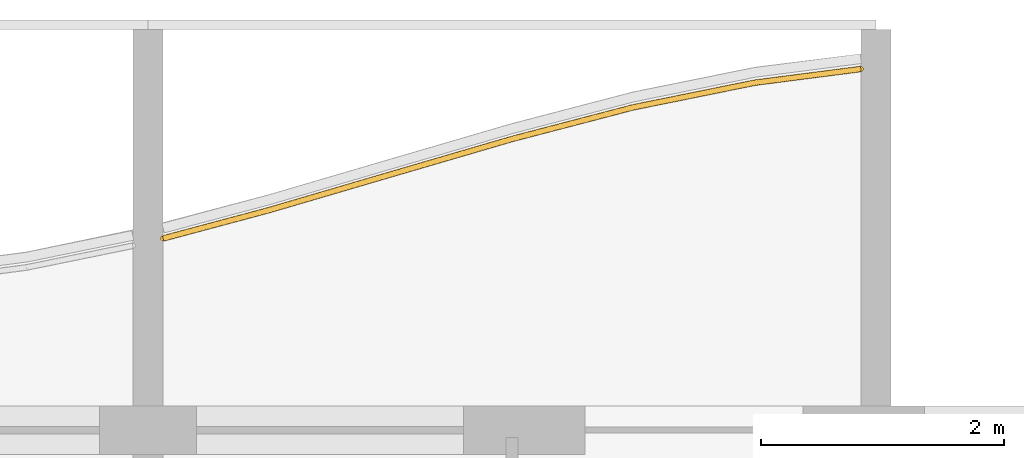
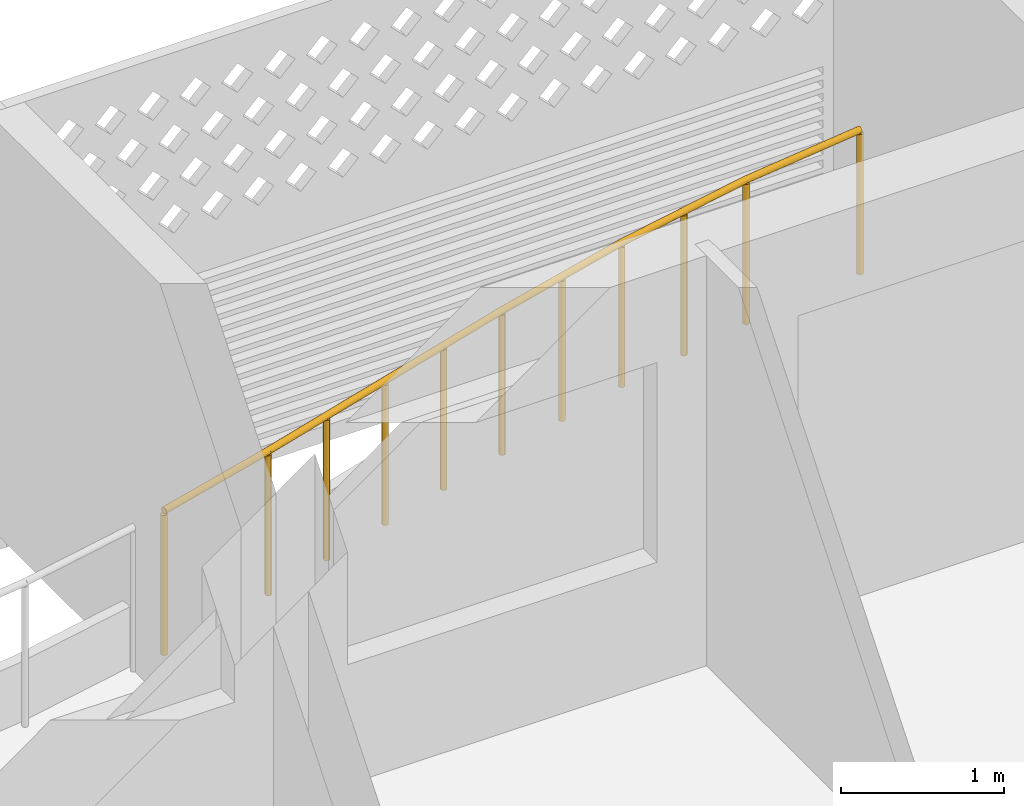
# One storey, part 17 of 28: 1 railing.
"""IFC4 building model written with IfcOpenShell, lengths in metres."""

from ifc_helpers import new_model, si_unit, direction, frame, origin, origin_2d, place, context, subcontext, project, spatial, circle, extrude, material, type_object, element, save


model = new_model("IFC4")

# Units and contexts
model_context = context("Model", 3, precision=1e-05, world=origin(), true_north=direction((0.0, 1.0)))
body_context = subcontext(model_context, "Body", "Model", "MODEL_VIEW")
ifc_project = project(units=[si_unit("LENGTHUNIT", "METRE"), si_unit("AREAUNIT", "SQUARE_METRE"), si_unit("VOLUMEUNIT", "CUBIC_METRE"), si_unit("PLANEANGLEUNIT", "RADIAN"), si_unit("MASSUNIT", "GRAM", prefix="KILO")], contexts=[model_context])

# Site, building, storey
site_placement = place(None, origin())
site = spatial("IfcSite", under=ifc_project, at=site_placement, CompositionType="ELEMENT")
building_placement = place(site_placement, origin())
building = spatial("IfcBuilding", under=site, at=building_placement, Name="Poui Terraces", CompositionType="ELEMENT")
storey_placement = place(building_placement, frame((0.0, 0.0, 188.39990234375)))
storey = spatial("IfcBuildingStorey", under=building, at=storey_placement, Name="L52", CompositionType="ELEMENT", Elevation=188.39990234375)

# Railing
ifc_material = material(Name="Painted steel fretwork", Category="steel")
railing_type = type_object("IfcRailingType", Name="BALCONY GUARD 1100", PredefinedType="GUARDRAIL", material=ifc_material)
railing_placement = place(storey_placement, frame((30.125, 42.77978515625, 0.0)))
element("IfcRailing", 1, at=railing_placement, inside=storey, type_object=railing_type, Name="BALCONY GUARD", PredefinedType="GUARDRAIL", context=body_context, shape_type="SweptSolid", body=[
    extrude(circle(Radius=0.02392578125, at=origin_2d()), frame((0.0, 0.0, 1.076171875), z_axis=(0.966015382601, 0.258484584798, 0.0), x_axis=(-0.258484584798, 0.966015382601, 0.0)), (0.0, 0.0, 1.0), 0.90576171875),
    extrude(circle(Radius=0.02392578125, at=origin_2d()), frame((0.875, 0.234130859375, 1.076171875), z_axis=(0.959536917318, 0.281582855131, 0.0), x_axis=(-0.281582855131, 0.959536917318, 0.0)), (0.0, 0.0, 1.0), 1.042236328125),
    extrude(circle(Radius=0.02392578125, at=origin_2d()), frame((1.875, 0.527587890625, 1.076171875), z_axis=(0.959852890267, 0.280503884192, 0.0), x_axis=(-0.280503884192, 0.959852890267, 0.0)), (0.0, 0.0, 1.0), 1.041748046875),
    extrude(circle(Radius=0.02392578125, at=origin_2d()), frame((2.875, 0.81982421875, 1.076171875), z_axis=(0.967589671846, 0.252527675587, 0.0), x_axis=(-0.252527675587, 0.967589671846, 0.0)), (0.0, 0.0, 1.0), 1.033447265625),
    extrude(circle(Radius=0.02392578125, at=origin_2d()), frame((3.875, 1.080810546875, 1.076171875), z_axis=(0.980080566497, 0.198600310106, 0.0), x_axis=(-0.198600310106, 0.980080566497, 0.0)), (0.0, 0.0, 1.0), 1.020263671875),
    extrude(circle(Radius=0.02392578125, at=origin_2d()), frame((4.875, 1.283447265625, 1.076171875), z_axis=(0.991758595578, 0.128120599819, 0.0), x_axis=(-0.128120599819, 0.991758595578, 0.0)), (0.0, 0.0, 1.0), 0.88232421875),
    extrude(circle(Radius=0.02099609375, at=origin_2d()), origin(), (0.0, 0.0, 1.0), 1.052001953125),
    extrude(circle(Radius=0.02099609375, at=origin_2d()), frame((0.875, 0.234130859375, 0.0)), (0.0, 0.0, 1.0), 1.052001953125),
    extrude(circle(Radius=0.02099609375, at=origin_2d()), frame((1.375, 0.380859375, 0.0)), (0.0, 0.0, 1.0), 1.052001953125),
    extrude(circle(Radius=0.02099609375, at=origin_2d()), frame((1.875, 0.527587890625, 0.0)), (0.0, 0.0, 1.0), 1.052001953125),
    extrude(circle(Radius=0.02099609375, at=origin_2d()), frame((2.375, 0.673828125, 0.0)), (0.0, 0.0, 1.0), 1.052001953125),
    extrude(circle(Radius=0.02099609375, at=origin_2d()), frame((2.875, 0.81982421875, 0.0)), (0.0, 0.0, 1.0), 1.052001953125),
    extrude(circle(Radius=0.02099609375, at=origin_2d()), frame((3.375, 0.9501953125, 0.0)), (0.0, 0.0, 1.0), 1.052001953125),
    extrude(circle(Radius=0.02099609375, at=origin_2d()), frame((3.875, 1.080810546875, 0.0)), (0.0, 0.0, 1.0), 1.052001953125),
    extrude(circle(Radius=0.02099609375, at=origin_2d()), frame((4.375, 1.18212890625, 0.0)), (0.0, 0.0, 1.0), 1.052001953125),
    extrude(circle(Radius=0.02099609375, at=origin_2d()), frame((4.875, 1.283447265625, 0.0)), (0.0, 0.0, 1.0), 1.052001953125),
    extrude(circle(Radius=0.02099609375, at=origin_2d()), frame((5.75, 1.396484375, 0.0)), (0.0, 0.0, 1.0), 1.052001953125),
])

save(model, "model.ifc")
